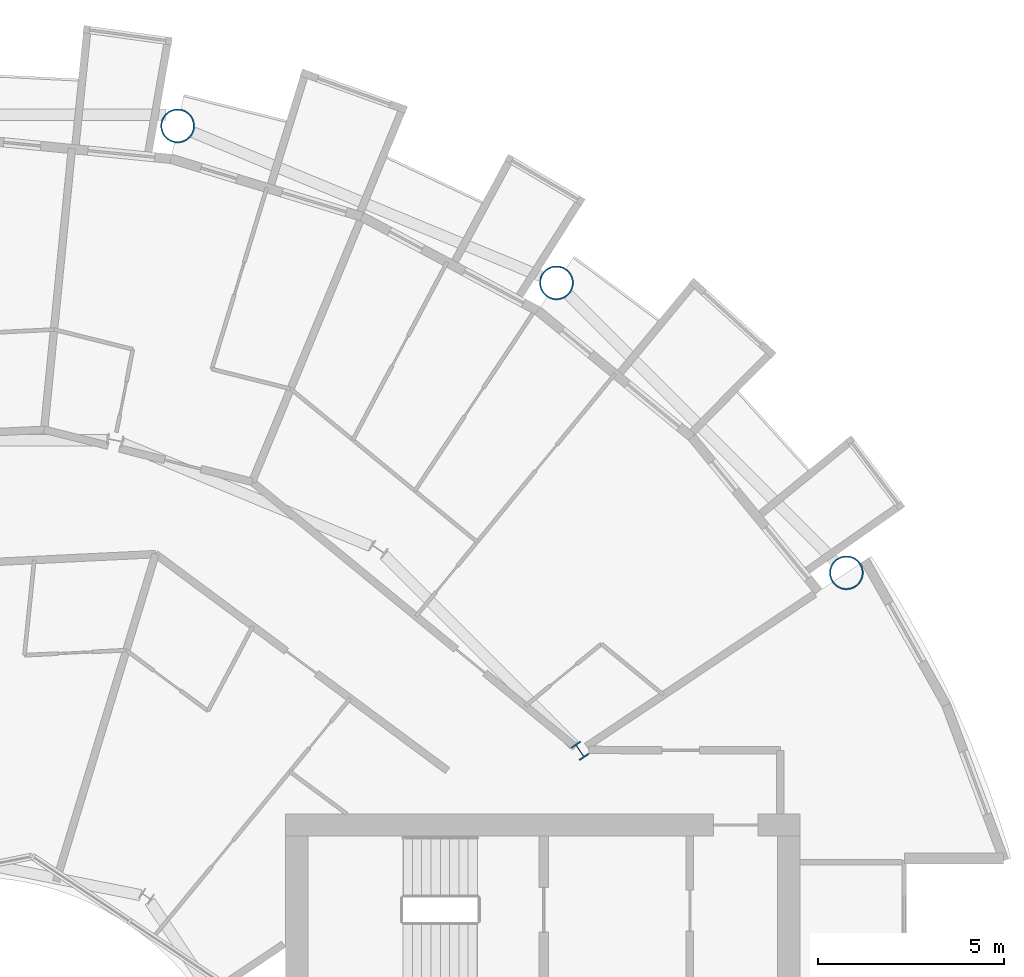
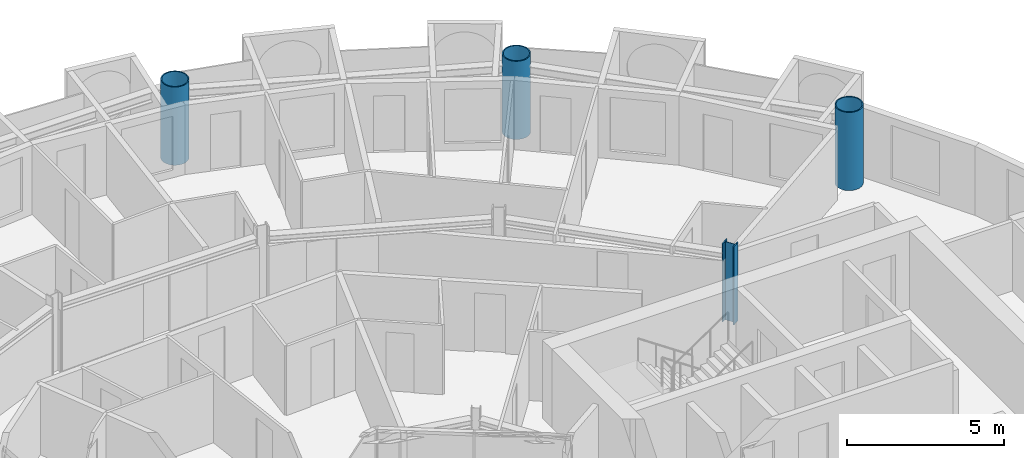
# One storey, part 4 of 27: 4 columns.
"""IFC4 building model written with IfcOpenShell, lengths in metres."""

from ifc_helpers import new_model, si_unit, direction, frame, origin, origin_2d, place, context, subcontext, project, spatial, hollow_circle, i_section, extrude, material, material_profile, profile_set, type_object, element, save


model = new_model("IFC4")

# Units and contexts
model_context = context("Model", 3, precision=1e-05, world=origin(), true_north=direction((0.0, 1.0)))
body_context = subcontext(model_context, "Body", "Model", "MODEL_VIEW")
ifc_project = project(units=[si_unit("LENGTHUNIT", "METRE"), si_unit("AREAUNIT", "SQUARE_METRE"), si_unit("VOLUMEUNIT", "CUBIC_METRE"), si_unit("PLANEANGLEUNIT", "RADIAN"), si_unit("MASSUNIT", "GRAM", prefix="KILO")], contexts=[model_context])

# Site, building, storey
site_placement = place(None, origin())
site = spatial("IfcSite", under=ifc_project, at=site_placement, CompositionType="ELEMENT")
building_placement = place(site_placement, origin())
building = spatial("IfcBuilding", under=site, at=building_placement, Name="Maasbend Ring Residences", CompositionType="ELEMENT")
storey_placement = place(building_placement, frame((0.0, 0.0, 111.64990234375)))
storey = spatial("IfcBuildingStorey", under=building, at=storey_placement, Name="L31", CompositionType="ELEMENT", Elevation=111.64990234375)

# Columns
ifc_material_1 = material(Name="Composite concrete-filled steel tube S460NH / C80/95", Category="concrete")
ifc_material_profile_1 = material_profile(ifc_material_1, hollow_circle(Radius=0.45703125, WallThickness=0.0400390625, at=origin_2d()), Name="Composite tube column CHS 914x40")
ifc_profile_set_1 = profile_set([ifc_material_profile_1], Name="Composite concrete-filled steel tube S460NH / C80/95")
column_type_1 = type_object("IfcColumnType", Name="Composite tube column CHS 914x40", PredefinedType="COLUMN", material=ifc_profile_set_1)
for number, where, z_axis, x_axis, name in (
    (1, (23.447509765625, 15.6669921875, 0.0), (0.0, 0.0, 1.0), (1.0, 0.0, 0.0), "Outer column R2"),
    (2, (15.6669921875, 23.447509765625, 0.0), (0.0, 0.0, 1.0), (1.0, 0.0, 0.0), "Outer column R3"),
    (3, (5.50146484375, 27.658203125, 0.0), (0.0, 0.0, 1.0), (1.0, 0.0, 0.0), "Outer column R4"),
):
    element("IfcColumn", number, at=place(storey_placement, frame(where, z_axis=z_axis, x_axis=x_axis)), inside=storey, type_object=column_type_1, Name=name, PredefinedType="COLUMN", context=body_context, shape_type="SweptSolid", body=[
        extrude(hollow_circle(Radius=0.45703125, WallThickness=0.0400390625, at=origin_2d()), origin(), (0.0, 0.0, 1.0), 3.050048828125),
    ])
ifc_material_2 = material(Name="Steel S460M", Category="steel")
ifc_material_profile_2 = material_profile(ifc_material_2, i_section(OverallWidth=0.306884765625, OverallDepth=0.431884765625, WebThickness=0.02099609375, FlangeThickness=0.0400390625, FilletRadius=0.027099609375, at=origin_2d()), Name="HEM 400")
ifc_profile_set_2 = profile_set([ifc_material_profile_2], Name="Steel S460M")
column_type_2 = type_object("IfcColumnType", Name="Steel column HEM 400", PredefinedType="COLUMN", material=ifc_profile_set_2)
column_placement = place(storey_placement, frame((16.296875, 10.88916015625, 0.0), z_axis=(0.0, 0.0, 1.0), x_axis=(0.831469612303, 0.55557023302, 0.0)))
element("IfcColumn", 4, at=column_placement, inside=storey, type_object=column_type_2, Name="Corridor ring column R2", PredefinedType="COLUMN", context=body_context, shape_type="SweptSolid", body=[
    extrude(i_section(OverallWidth=0.306884765625, OverallDepth=0.431884765625, WebThickness=0.02099609375, FlangeThickness=0.0400390625, FilletRadius=0.027099609375, at=origin_2d()), origin(), (0.0, 0.0, 1.0), 3.050048828125),
])

save(model, "model.ifc")
